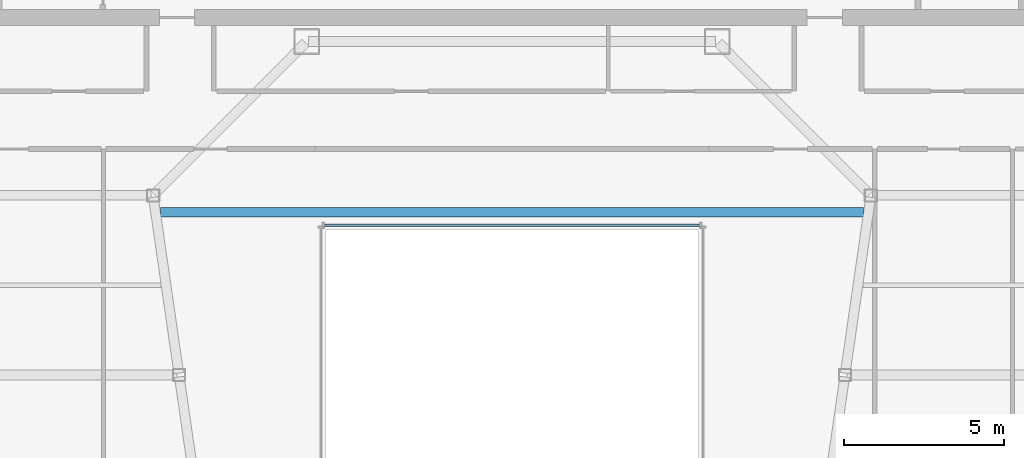
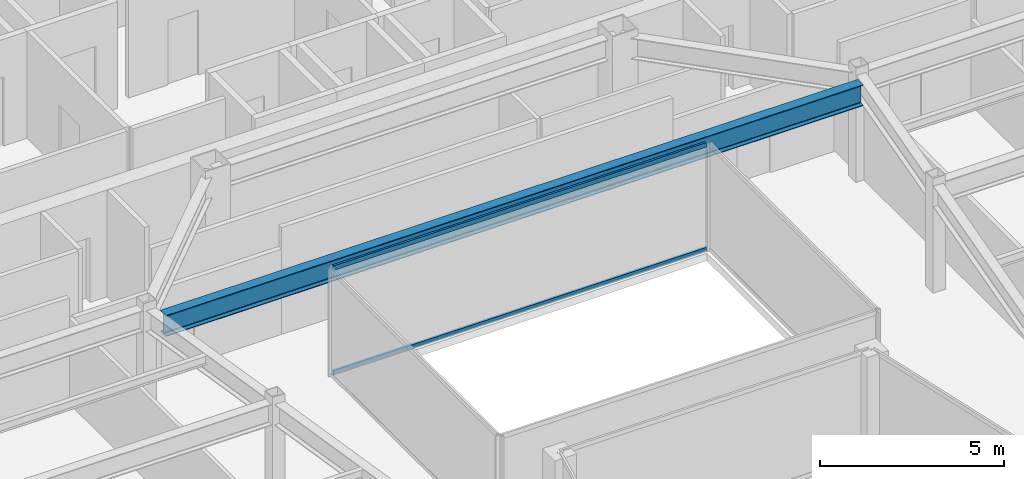
# One storey, part 14 of 36: 2 members, 1 beam, 1 element without a shape of its own.
"""IFC4 building model written with IfcOpenShell, lengths in metres."""

from ifc_helpers import new_model, si_unit, direction, frame, origin, origin_2d, place, context, subcontext, project, spatial, hollow_rectangle, i_section, extrude, material, material_profile, profile_set, type_object, element, aggregate, save


model = new_model("IFC4")

# Units and contexts
model_context = context("Model", 3, precision=1e-05, world=origin(), true_north=direction((0.0, 1.0)))
body_context = subcontext(model_context, "Body", "Model", "MODEL_VIEW")
ifc_project = project(units=[si_unit("LENGTHUNIT", "METRE"), si_unit("AREAUNIT", "SQUARE_METRE"), si_unit("VOLUMEUNIT", "CUBIC_METRE"), si_unit("PLANEANGLEUNIT", "RADIAN"), si_unit("MASSUNIT", "GRAM", prefix="KILO")], contexts=[model_context])

# Site, building, storey
site_placement = place(None, origin())
site = spatial("IfcSite", under=ifc_project, at=site_placement, CompositionType="ELEMENT")
building_placement = place(site_placement, origin())
building = spatial("IfcBuilding", under=site, at=building_placement, Name="Saevonmaru Cultural Tower", CompositionType="ELEMENT")
storey_placement = place(building_placement, frame((0.0, 0.0, 205.60009765625)))
storey = spatial("IfcBuildingStorey", under=building, at=storey_placement, Name="L47", CompositionType="ELEMENT", Elevation=205.60009765625)

# Beam
ifc_material_1 = material(Name="Steel SM355", Category="steel")
ifc_material_profile_1 = material_profile(ifc_material_1, i_section(OverallWidth=0.300048828125, OverallDepth=0.699951171875, WebThickness=0.012939453125, FlangeThickness=0.02392578125, FilletRadius=0.02587890625, at=origin_2d()), Name="H-700x300x13x24")
ifc_profile_set_1 = profile_set([ifc_material_profile_1], Name="Steel SM355")
beam_type = type_object("IfcBeamType", Name="BM-G-H700", PredefinedType="BEAM", material=ifc_profile_set_1)
beam_placement = place(storey_placement, frame((19.041015625, 37.080078125, 3.199951171875), z_axis=(1.0, 0.0, 0.0), x_axis=(0.0, 1.0, 0.0)))
element("IfcBeam", 1, at=beam_placement, inside=storey, type_object=beam_type, Name="L47 Central Link Girder", PredefinedType="BEAM", context=body_context, shape_type="SweptSolid", body=[
    extrude(i_section(OverallWidth=0.300048828125, OverallDepth=0.699951171875, WebThickness=0.012939453125, FlangeThickness=0.02392578125, FilletRadius=0.02587890625, at=origin_2d()), origin(), (0.0, 0.0, 1.0), 21.91796875),
])

# Curtain wall, members
ifc_material_2 = material(Name="Satin Bronze Anodised Aluminium", Category="aluminium")
curtain_wall_type = type_object("IfcCurtainWallType", Name="CW-ATR-GLZ", PredefinedType="NOTDEFINED", material=ifc_material_2)
curtain_wall_placement = place(storey_placement, origin())
curtain_wall = element("IfcCurtainWall", 2, at=curtain_wall_placement, inside=storey, type_object=curtain_wall_type, Name="L47 Vertical Atrium Glazed Smoke Screen 3", PredefinedType="NOTDEFINED")
ifc_material_profile_2 = material_profile(ifc_material_2, hollow_rectangle(XDim=0.06494140625, YDim=0.14990234375, WallThickness=0.00390625, at=origin_2d()), Name="ALU-TRAN-150x65x4")
ifc_profile_set_2 = profile_set([ifc_material_profile_2], Name="Satin Bronze Anodised Aluminium")
member_type = type_object("IfcMemberType", Name="TR-CW-INT-150x65", PredefinedType="USERDEFINED", material=ifc_profile_set_2)
member_1_placement = place(storey_placement, frame((35.857421875, 36.669921875, 0.032470703125), z_axis=(-1.0, 0.0, 0.0), x_axis=(0.0, -1.0, 0.0)))
member_1 = element("IfcMember", 3, at=member_1_placement, type_object=member_type, Name="CW-ATR-L47-3 transom 1.1", ObjectType="TRANSOM", PredefinedType="USERDEFINED", context=body_context, shape_type="SweptSolid", body=[
    extrude(hollow_rectangle(XDim=0.06494140625, YDim=0.14990234375, WallThickness=0.00390625, at=origin_2d()), origin(), (0.0, 0.0, 1.0), 11.71484375),
])
member_2_placement = place(storey_placement, frame((35.857421875, 36.669921875, 3.517333984375), z_axis=(-1.0, 0.0, 0.0), x_axis=(0.0, -1.0, 0.0)))
member_2 = element("IfcMember", 4, at=member_2_placement, type_object=member_type, Name="CW-ATR-L47-3 transom 1.2", ObjectType="TRANSOM", PredefinedType="USERDEFINED", context=body_context, shape_type="SweptSolid", body=[
    extrude(hollow_rectangle(XDim=0.06494140625, YDim=0.14990234375, WallThickness=0.00390625, at=origin_2d()), origin(), (0.0, 0.0, 1.0), 11.71484375),
])
aggregate(curtain_wall, [member_1, member_2])

save(model, "model.ifc")
